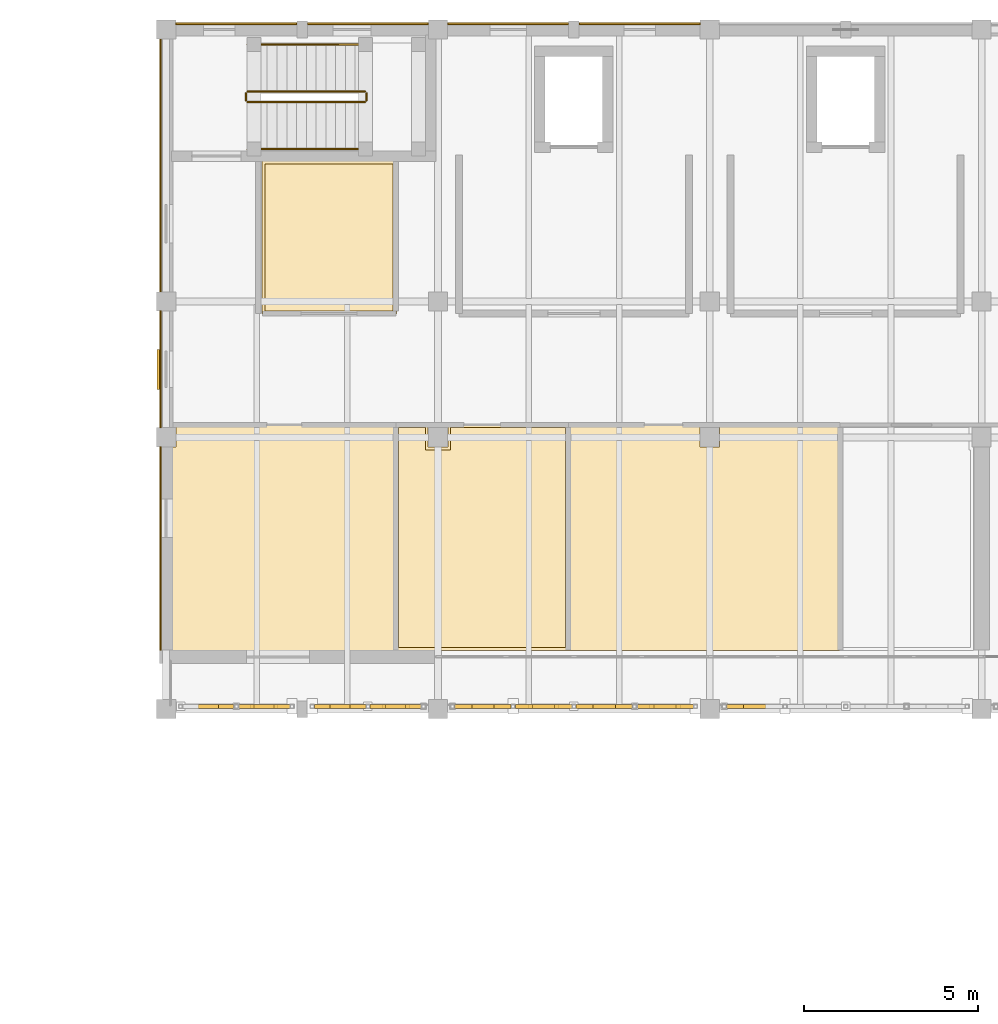
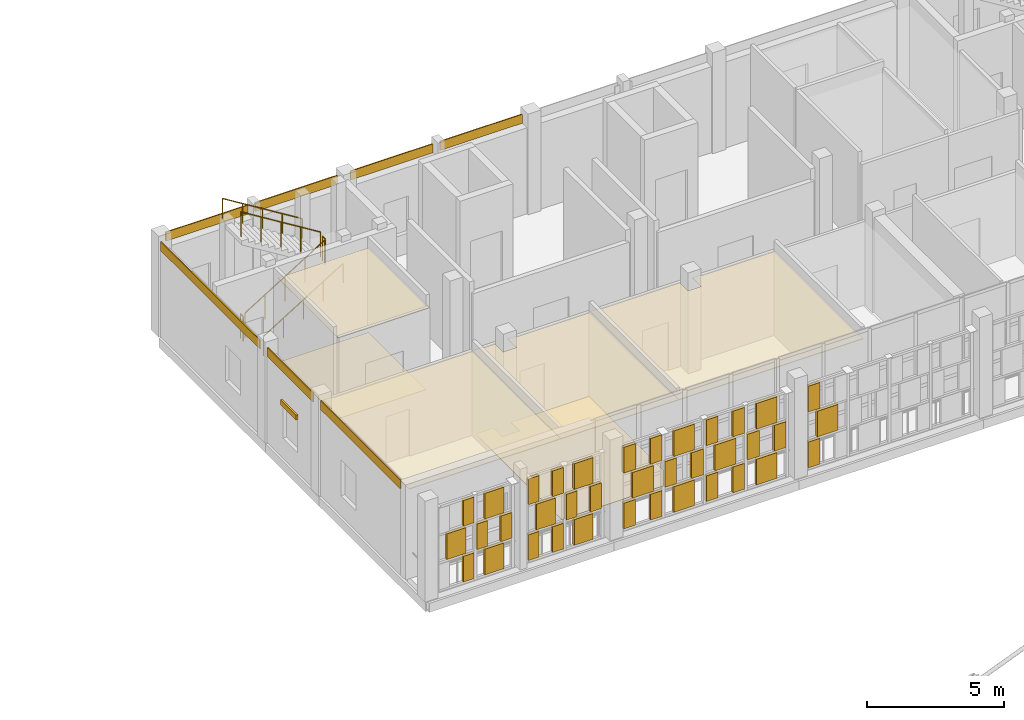
# One storey, part 113 of 119: 50 coverings, 6 railings, 1 shading device.
"""IFC4 building model written with IfcOpenShell, lengths in metres."""

from ifc_helpers import new_model, si_unit, direction, frame, origin, origin_2d, place, context, subcontext, project, spatial, polyline, rectangle, circle, outline, extrude, material, layer, layer_set, type_object, element, save


model = new_model("IFC4")

# Units and contexts
model_context = context("Model", 3, precision=1e-05, world=origin(), true_north=direction((0.0, 1.0)))
body_context = subcontext(model_context, "Body", "Model", "MODEL_VIEW")
ifc_project = project(units=[si_unit("LENGTHUNIT", "METRE"), si_unit("AREAUNIT", "SQUARE_METRE"), si_unit("VOLUMEUNIT", "CUBIC_METRE"), si_unit("PLANEANGLEUNIT", "RADIAN"), si_unit("MASSUNIT", "GRAM", prefix="KILO")], contexts=[model_context])

# Site, building, storey
site_placement = place(None, origin())
site = spatial("IfcSite", under=ifc_project, at=site_placement, CompositionType="ELEMENT")
building_placement = place(site_placement, origin())
building = spatial("IfcBuilding", under=site, at=building_placement, Name="Celorna Specialist Clinic", CompositionType="ELEMENT")
storey_placement = place(building_placement, frame((0.0, 0.0, 9.60009765625)))
storey = spatial("IfcBuildingStorey", under=building, at=storey_placement, Name="L02", CompositionType="ELEMENT", Elevation=9.60009765625)

# Coverings
ifc_material_1 = material(Name="Hygienic acoustic mineral-fibre ceiling")
ifc_layer_1 = layer(ifc_material_1, 0.030029296875, Name="Hygienic acoustic mineral-fibre ceiling")
ifc_layer_set_1 = layer_set([ifc_layer_1], Name="Hygienic acoustic mineral-fibre ceiling")
covering_type_1 = type_object("IfcCoveringType", Name="CE-01", PredefinedType="CEILING", material=ifc_layer_set_1)
covering_1_placement = place(storey_placement, frame((0.0, 0.0, 3.68994140625)))
element("IfcCovering", 1, at=covering_1_placement, inside=storey, type_object=covering_type_1, Name="Acoustic ceiling L02-026", PredefinedType="CEILING", context=body_context, shape_type="SweptSolid", body=[
    extrude(outline(polyline([(53.405029296875, 104.6650390625), (53.405029296875, 98.175048828125), (46.97509765625, 98.175048828125), (46.97509765625, 104.02001953125), (47.080078125, 104.02001953125), (47.080078125, 104.580078125), (47.070068359375, 104.580078125), (47.070068359375, 104.6650390625), (53.405029296875, 104.6650390625)])), origin(), (0.0, 0.0, 1.0), 0.030029296875),
])
covering_2_placement = place(storey_placement, frame((0.0, 0.0, 3.68994140625)))
element("IfcCovering", 2, at=covering_2_placement, inside=storey, type_object=covering_type_1, Name="Acoustic ceiling L02-027", PredefinedType="CEILING", context=body_context, shape_type="SweptSolid", body=[
    extrude(outline(polyline([(54.330078125, 104.6650390625), (54.330078125, 104.580078125), (54.320068359375, 104.580078125), (54.320068359375, 104.02001953125), (54.8798828125, 104.02001953125), (54.8798828125, 104.580078125), (54.8701171875, 104.580078125), (54.8701171875, 104.6650390625), (58.35498046875, 104.6650390625), (58.35498046875, 98.175048828125), (53.375, 98.175048828125), (53.375, 104.6650390625), (54.330078125, 104.6650390625)])), origin(), (0.0, 0.0, 1.0), 0.030029296875),
])
covering_3_placement = place(storey_placement, frame((0.0, 0.0, 3.68994140625)))
element("IfcCovering", 3, at=covering_3_placement, inside=storey, type_object=covering_type_1, Name="Acoustic ceiling L02-028", PredefinedType="CEILING", context=body_context, shape_type="SweptSolid", body=[
    extrude(outline(polyline([(62.1298828125, 104.6650390625), (62.1298828125, 104.580078125), (62.1201171875, 104.580078125), (62.1201171875, 104.02001953125), (62.679931640625, 104.02001953125), (62.679931640625, 104.580078125), (62.669921875, 104.580078125), (62.669921875, 104.6650390625), (66.155029296875, 104.6650390625), (66.155029296875, 98.175048828125), (58.324951171875, 98.175048828125), (58.324951171875, 104.6650390625), (62.1298828125, 104.6650390625)])), origin(), (0.0, 0.0, 1.0), 0.030029296875),
])
covering_4_placement = place(storey_placement, frame((0.0, 0.0, 3.68994140625)))
element("IfcCovering", 4, at=covering_4_placement, inside=storey, type_object=covering_type_1, Name="Acoustic ceiling L02-041", PredefinedType="CEILING", context=body_context, shape_type="SweptSolid", body=[
    extrude(outline(polyline([(49.544921875, 112.235107421875), (53.405029296875, 112.235107421875), (53.405029296875, 107.8349609375), (49.544921875, 107.8349609375), (49.544921875, 112.235107421875)])), origin(), (0.0, 0.0, 1.0), 0.030029296875),
])
ifc_material_2 = material(Name="Pero Pinheiro Lioz limestone rainscreen cladding", Category="masonry")
ifc_layer_2 = layer(ifc_material_2, 0.044921875, Name="Pero Pinheiro Lioz limestone rainscreen cladding")
ifc_layer_set_2 = layer_set([ifc_layer_2], Name="Pero Pinheiro Lioz limestone rainscreen cladding")
covering_type_2 = type_object("IfcCoveringType", Name="CL-01", PredefinedType="CLADDING", material=ifc_layer_set_2)
for number, where, z_axis, x_axis, name in (
    (5, (48.8125, 116.16748046875, 3.83984375), (0.0, 0.0, 1.0), (1.0, 0.0, 0.0), "Lioz spandrel cladding #233"),
    (6, (52.58740234375, 116.16748046875, 3.83984375), (0.0, 0.0, 1.0), (1.0, 0.0, 0.0), "Lioz spandrel cladding #234"),
    (7, (56.612548828125, 116.16748046875, 3.83984375), (0.0, 0.0, 1.0), (1.0, 0.0, 0.0), "Lioz spandrel cladding #235"),
    (8, (60.387451171875, 116.16748046875, 3.83984375), (0.0, 0.0, 1.0), (1.0, 0.0, 0.0), "Lioz spandrel cladding #236"),
):
    element("IfcCovering", number, at=place(storey_placement, frame(where, z_axis=z_axis, x_axis=x_axis)), inside=storey, type_object=covering_type_2, Name=name, PredefinedType="CLADDING", context=body_context, shape_type="SweptSolid", body=[
        extrude(rectangle(XDim=3.47509765625, YDim=0.044921875, at=origin_2d()), origin(), (0.0, 0.0, 1.0), 0.39990234375),
    ])
covering_5_placement = place(storey_placement, frame((46.632568359375, 101.107421875, 3.83984375), z_axis=(0.0, 0.0, 1.0), x_axis=(0.0, 1.0, 0.0)))
element("IfcCovering", 9, at=covering_5_placement, inside=storey, type_object=covering_type_2, Name="Lioz spandrel cladding #248", PredefinedType="CLADDING", context=body_context, shape_type="SweptSolid", body=[
    extrude(rectangle(XDim=5.8349609375, YDim=0.044921875, at=origin_2d()), origin(), (0.0, 0.0, 1.0), 0.39990234375),
])
covering_6_placement = place(storey_placement, frame((46.632568359375, 106.25, 3.83984375), z_axis=(0.0, 0.0, 1.0), x_axis=(0.0, 1.0, 0.0)))
element("IfcCovering", 10, at=covering_6_placement, inside=storey, type_object=covering_type_2, Name="Lioz spandrel cladding #249", PredefinedType="CLADDING", context=body_context, shape_type="SweptSolid", body=[
    extrude(rectangle(XDim=3.35009765625, YDim=0.044921875, at=origin_2d()), origin(), (0.0, 0.0, 1.0), 0.39990234375),
])
covering_7_placement = place(storey_placement, frame((46.632568359375, 112.10009765625, 3.83984375), z_axis=(0.0, 0.0, 1.0), x_axis=(0.0, 1.0, 0.0)))
element("IfcCovering", 11, at=covering_7_placement, inside=storey, type_object=covering_type_2, Name="Lioz spandrel cladding #250", PredefinedType="CLADDING", context=body_context, shape_type="SweptSolid", body=[
    extrude(rectangle(XDim=7.25, YDim=0.044921875, at=origin_2d()), origin(), (0.0, 0.0, 1.0), 0.39990234375),
])
ifc_material_3 = material(Name="Perforated terracotta brick weave cladding", Category="masonry")
ifc_layer_3 = layer(ifc_material_3, 0.114990234375, Name="Perforated terracotta brick weave cladding")
ifc_layer_set_3 = layer_set([ifc_layer_3], Name="Perforated terracotta brick weave cladding")
covering_type_3 = type_object("IfcCoveringType", Name="CL-02", PredefinedType="CLADDING", material=ifc_layer_set_3)
covering_8_placement = place(storey_placement, frame((48.527099609375, 96.570068359375, 0.10009765625), z_axis=(0.0, 0.0, 1.0), x_axis=(1.0, 0.0, 0.0)))
element("IfcCovering", 12, at=covering_8_placement, inside=storey, type_object=covering_type_3, Name="Woven perforated terracotta brick course #861", PredefinedType="CLADDING", context=body_context, shape_type="SweptSolid", body=[
    extrude(rectangle(XDim=0.45068359375, YDim=0.114990234375, at=origin_2d()), origin(), (0.0, 0.0, 1.0), 1.146728515625),
])
covering_9_placement = place(storey_placement, frame((48.013916015625, 96.570068359375, 1.3466796875), z_axis=(0.0, 0.0, 1.0), x_axis=(1.0, 0.0, 0.0)))
element("IfcCovering", 13, at=covering_9_placement, inside=storey, type_object=covering_type_3, Name="Woven perforated terracotta brick course #862", PredefinedType="CLADDING", context=body_context, shape_type="SweptSolid", body=[
    extrude(rectangle(XDim=0.7978515625, YDim=0.114990234375, at=origin_2d()), origin(), (0.0, 0.0, 1.0), 1.146484375),
])
covering_10_placement = place(storey_placement, frame((48.527099609375, 96.570068359375, 2.59326171875), z_axis=(0.0, 0.0, 1.0), x_axis=(1.0, 0.0, 0.0)))
element("IfcCovering", 14, at=covering_10_placement, inside=storey, type_object=covering_type_3, Name="Woven perforated terracotta brick course #864", PredefinedType="CLADDING", context=body_context, shape_type="SweptSolid", body=[
    extrude(rectangle(XDim=0.45068359375, YDim=0.114990234375, at=origin_2d()), origin(), (0.0, 0.0, 1.0), 1.146728515625),
])
covering_11_placement = place(storey_placement, frame((49.611083984375, 96.570068359375, 0.10009765625), z_axis=(0.0, 0.0, 1.0), x_axis=(1.0, 0.0, 0.0)))
element("IfcCovering", 15, at=covering_11_placement, inside=storey, type_object=covering_type_3, Name="Woven perforated terracotta brick course #865", PredefinedType="CLADDING", context=body_context, shape_type="SweptSolid", body=[
    extrude(rectangle(XDim=0.7978515625, YDim=0.114990234375, at=origin_2d()), origin(), (0.0, 0.0, 1.0), 1.146728515625),
])
for number, where, z_axis, x_axis, name in (
    (16, (49.097900390625, 96.570068359375, 1.3466796875), (0.0, 0.0, 1.0), (1.0, 0.0, 0.0), "Woven perforated terracotta brick course #866"),
    (17, (50.124755859375, 96.570068359375, 1.3466796875), (0.0, 0.0, 1.0), (1.0, 0.0, 0.0), "Woven perforated terracotta brick course #867"),
):
    element("IfcCovering", number, at=place(storey_placement, frame(where, z_axis=z_axis, x_axis=x_axis)), inside=storey, type_object=covering_type_3, Name=name, PredefinedType="CLADDING", context=body_context, shape_type="SweptSolid", body=[
        extrude(rectangle(XDim=0.45068359375, YDim=0.114990234375, at=origin_2d()), origin(), (0.0, 0.0, 1.0), 1.146484375),
    ])
covering_12_placement = place(storey_placement, frame((49.611083984375, 96.570068359375, 2.59326171875), z_axis=(0.0, 0.0, 1.0), x_axis=(1.0, 0.0, 0.0)))
element("IfcCovering", 18, at=covering_12_placement, inside=storey, type_object=covering_type_3, Name="Woven perforated terracotta brick course #868", PredefinedType="CLADDING", context=body_context, shape_type="SweptSolid", body=[
    extrude(rectangle(XDim=0.7978515625, YDim=0.114990234375, at=origin_2d()), origin(), (0.0, 0.0, 1.0), 1.146728515625),
])
for number, where, z_axis, x_axis, name in (
    (19, (51.275390625, 96.570068359375, 0.10009765625), (0.0, 0.0, 1.0), (1.0, 0.0, 0.0), "Woven perforated terracotta brick course #869"),
    (20, (52.30224609375, 96.570068359375, 0.10009765625), (0.0, 0.0, 1.0), (1.0, 0.0, 0.0), "Woven perforated terracotta brick course #870"),
):
    element("IfcCovering", number, at=place(storey_placement, frame(where, z_axis=z_axis, x_axis=x_axis)), inside=storey, type_object=covering_type_3, Name=name, PredefinedType="CLADDING", context=body_context, shape_type="SweptSolid", body=[
        extrude(rectangle(XDim=0.45068359375, YDim=0.114990234375, at=origin_2d()), origin(), (0.0, 0.0, 1.0), 1.146728515625),
    ])
covering_13_placement = place(storey_placement, frame((51.788818359375, 96.570068359375, 1.3466796875), z_axis=(0.0, 0.0, 1.0), x_axis=(1.0, 0.0, 0.0)))
element("IfcCovering", 21, at=covering_13_placement, inside=storey, type_object=covering_type_3, Name="Woven perforated terracotta brick course #871", PredefinedType="CLADDING", context=body_context, shape_type="SweptSolid", body=[
    extrude(rectangle(XDim=0.7978515625, YDim=0.114990234375, at=origin_2d()), origin(), (0.0, 0.0, 1.0), 1.146484375),
])
for number, where, z_axis, x_axis, name in (
    (22, (51.275390625, 96.570068359375, 2.59326171875), (0.0, 0.0, 1.0), (1.0, 0.0, 0.0), "Woven perforated terracotta brick course #872"),
    (23, (52.30224609375, 96.570068359375, 2.59326171875), (0.0, 0.0, 1.0), (1.0, 0.0, 0.0), "Woven perforated terracotta brick course #873"),
):
    element("IfcCovering", number, at=place(storey_placement, frame(where, z_axis=z_axis, x_axis=x_axis)), inside=storey, type_object=covering_type_3, Name=name, PredefinedType="CLADDING", context=body_context, shape_type="SweptSolid", body=[
        extrude(rectangle(XDim=0.45068359375, YDim=0.114990234375, at=origin_2d()), origin(), (0.0, 0.0, 1.0), 1.146728515625),
    ])
covering_14_placement = place(storey_placement, frame((53.38623046875, 96.570068359375, 0.10009765625), z_axis=(0.0, 0.0, 1.0), x_axis=(1.0, 0.0, 0.0)))
element("IfcCovering", 24, at=covering_14_placement, inside=storey, type_object=covering_type_3, Name="Woven perforated terracotta brick course #874", PredefinedType="CLADDING", context=body_context, shape_type="SweptSolid", body=[
    extrude(rectangle(XDim=0.7978515625, YDim=0.114990234375, at=origin_2d()), origin(), (0.0, 0.0, 1.0), 1.146728515625),
])
for number, where, z_axis, x_axis, name in (
    (25, (52.872802734375, 96.570068359375, 1.3466796875), (0.0, 0.0, 1.0), (1.0, 0.0, 0.0), "Woven perforated terracotta brick course #875"),
    (26, (53.899658203125, 96.570068359375, 1.3466796875), (0.0, 0.0, 1.0), (1.0, 0.0, 0.0), "Woven perforated terracotta brick course #876"),
):
    element("IfcCovering", number, at=place(storey_placement, frame(where, z_axis=z_axis, x_axis=x_axis)), inside=storey, type_object=covering_type_3, Name=name, PredefinedType="CLADDING", context=body_context, shape_type="SweptSolid", body=[
        extrude(rectangle(XDim=0.45068359375, YDim=0.114990234375, at=origin_2d()), origin(), (0.0, 0.0, 1.0), 1.146484375),
    ])
covering_15_placement = place(storey_placement, frame((53.38623046875, 96.570068359375, 2.59326171875), z_axis=(0.0, 0.0, 1.0), x_axis=(1.0, 0.0, 0.0)))
element("IfcCovering", 27, at=covering_15_placement, inside=storey, type_object=covering_type_3, Name="Woven perforated terracotta brick course #877", PredefinedType="CLADDING", context=body_context, shape_type="SweptSolid", body=[
    extrude(rectangle(XDim=0.7978515625, YDim=0.114990234375, at=origin_2d()), origin(), (0.0, 0.0, 1.0), 1.146728515625),
])
for number, where, z_axis, x_axis, name in (
    (28, (55.322509765625, 96.570068359375, 0.10009765625), (0.0, 0.0, 1.0), (1.0, 0.0, 0.0), "Woven perforated terracotta brick course #878"),
    (29, (56.449951171875, 96.570068359375, 0.10009765625), (0.0, 0.0, 1.0), (1.0, 0.0, 0.0), "Woven perforated terracotta brick course #879"),
):
    element("IfcCovering", number, at=place(storey_placement, frame(where, z_axis=z_axis, x_axis=x_axis)), inside=storey, type_object=covering_type_3, Name=name, PredefinedType="CLADDING", context=body_context, shape_type="SweptSolid", body=[
        extrude(rectangle(XDim=0.494873046875, YDim=0.114990234375, at=origin_2d()), origin(), (0.0, 0.0, 1.0), 1.146728515625),
    ])
covering_16_placement = place(storey_placement, frame((55.88623046875, 96.570068359375, 1.3466796875), z_axis=(0.0, 0.0, 1.0), x_axis=(1.0, 0.0, 0.0)))
element("IfcCovering", 30, at=covering_16_placement, inside=storey, type_object=covering_type_3, Name="Woven perforated terracotta brick course #880", PredefinedType="CLADDING", context=body_context, shape_type="SweptSolid", body=[
    extrude(rectangle(XDim=0.876220703125, YDim=0.114990234375, at=origin_2d()), origin(), (0.0, 0.0, 1.0), 1.146484375),
])
for number, where, z_axis, x_axis, name in (
    (31, (55.322509765625, 96.570068359375, 2.59326171875), (0.0, 0.0, 1.0), (1.0, 0.0, 0.0), "Woven perforated terracotta brick course #881"),
    (32, (56.449951171875, 96.570068359375, 2.59326171875), (0.0, 0.0, 1.0), (1.0, 0.0, 0.0), "Woven perforated terracotta brick course #882"),
):
    element("IfcCovering", number, at=place(storey_placement, frame(where, z_axis=z_axis, x_axis=x_axis)), inside=storey, type_object=covering_type_3, Name=name, PredefinedType="CLADDING", context=body_context, shape_type="SweptSolid", body=[
        extrude(rectangle(XDim=0.494873046875, YDim=0.114990234375, at=origin_2d()), origin(), (0.0, 0.0, 1.0), 1.146728515625),
    ])
covering_17_placement = place(storey_placement, frame((57.628662109375, 96.570068359375, 0.10009765625), z_axis=(0.0, 0.0, 1.0), x_axis=(1.0, 0.0, 0.0)))
element("IfcCovering", 33, at=covering_17_placement, inside=storey, type_object=covering_type_3, Name="Woven perforated terracotta brick course #883", PredefinedType="CLADDING", context=body_context, shape_type="SweptSolid", body=[
    extrude(rectangle(XDim=0.876220703125, YDim=0.114990234375, at=origin_2d()), origin(), (0.0, 0.0, 1.0), 1.146728515625),
])
for number, where, z_axis, x_axis, name in (
    (34, (57.06494140625, 96.570068359375, 1.3466796875), (0.0, 0.0, 1.0), (1.0, 0.0, 0.0), "Woven perforated terracotta brick course #884"),
    (35, (58.1923828125, 96.570068359375, 1.3466796875), (0.0, 0.0, 1.0), (1.0, 0.0, 0.0), "Woven perforated terracotta brick course #885"),
):
    element("IfcCovering", number, at=place(storey_placement, frame(where, z_axis=z_axis, x_axis=x_axis)), inside=storey, type_object=covering_type_3, Name=name, PredefinedType="CLADDING", context=body_context, shape_type="SweptSolid", body=[
        extrude(rectangle(XDim=0.494873046875, YDim=0.114990234375, at=origin_2d()), origin(), (0.0, 0.0, 1.0), 1.146484375),
    ])
covering_18_placement = place(storey_placement, frame((57.628662109375, 96.570068359375, 2.59326171875), z_axis=(0.0, 0.0, 1.0), x_axis=(1.0, 0.0, 0.0)))
element("IfcCovering", 36, at=covering_18_placement, inside=storey, type_object=covering_type_3, Name="Woven perforated terracotta brick course #886", PredefinedType="CLADDING", context=body_context, shape_type="SweptSolid", body=[
    extrude(rectangle(XDim=0.876220703125, YDim=0.114990234375, at=origin_2d()), origin(), (0.0, 0.0, 1.0), 1.146728515625),
])
for number, where, z_axis, x_axis, name in (
    (37, (58.8076171875, 96.570068359375, 0.10009765625), (0.0, 0.0, 1.0), (1.0, 0.0, 0.0), "Woven perforated terracotta brick course #887"),
    (38, (59.93505859375, 96.570068359375, 0.10009765625), (0.0, 0.0, 1.0), (1.0, 0.0, 0.0), "Woven perforated terracotta brick course #888"),
):
    element("IfcCovering", number, at=place(storey_placement, frame(where, z_axis=z_axis, x_axis=x_axis)), inside=storey, type_object=covering_type_3, Name=name, PredefinedType="CLADDING", context=body_context, shape_type="SweptSolid", body=[
        extrude(rectangle(XDim=0.494873046875, YDim=0.114990234375, at=origin_2d()), origin(), (0.0, 0.0, 1.0), 1.146728515625),
    ])
covering_19_placement = place(storey_placement, frame((59.371337890625, 96.570068359375, 1.3466796875), z_axis=(0.0, 0.0, 1.0), x_axis=(1.0, 0.0, 0.0)))
element("IfcCovering", 39, at=covering_19_placement, inside=storey, type_object=covering_type_3, Name="Woven perforated terracotta brick course #889", PredefinedType="CLADDING", context=body_context, shape_type="SweptSolid", body=[
    extrude(rectangle(XDim=0.876220703125, YDim=0.114990234375, at=origin_2d()), origin(), (0.0, 0.0, 1.0), 1.146484375),
])
for number, where, z_axis, x_axis, name in (
    (40, (58.8076171875, 96.570068359375, 2.59326171875), (0.0, 0.0, 1.0), (1.0, 0.0, 0.0), "Woven perforated terracotta brick course #890"),
    (41, (59.93505859375, 96.570068359375, 2.59326171875), (0.0, 0.0, 1.0), (1.0, 0.0, 0.0), "Woven perforated terracotta brick course #891"),
):
    element("IfcCovering", number, at=place(storey_placement, frame(where, z_axis=z_axis, x_axis=x_axis)), inside=storey, type_object=covering_type_3, Name=name, PredefinedType="CLADDING", context=body_context, shape_type="SweptSolid", body=[
        extrude(rectangle(XDim=0.494873046875, YDim=0.114990234375, at=origin_2d()), origin(), (0.0, 0.0, 1.0), 1.146728515625),
    ])
covering_20_placement = place(storey_placement, frame((61.11376953125, 96.570068359375, 0.10009765625), z_axis=(0.0, 0.0, 1.0), x_axis=(1.0, 0.0, 0.0)))
element("IfcCovering", 42, at=covering_20_placement, inside=storey, type_object=covering_type_3, Name="Woven perforated terracotta brick course #892", PredefinedType="CLADDING", context=body_context, shape_type="SweptSolid", body=[
    extrude(rectangle(XDim=0.876220703125, YDim=0.114990234375, at=origin_2d()), origin(), (0.0, 0.0, 1.0), 1.146728515625),
])
for number, where, z_axis, x_axis, name in (
    (43, (60.550048828125, 96.570068359375, 1.3466796875), (0.0, 0.0, 1.0), (1.0, 0.0, 0.0), "Woven perforated terracotta brick course #893"),
    (44, (61.677490234375, 96.570068359375, 1.3466796875), (0.0, 0.0, 1.0), (1.0, 0.0, 0.0), "Woven perforated terracotta brick course #894"),
):
    element("IfcCovering", number, at=place(storey_placement, frame(where, z_axis=z_axis, x_axis=x_axis)), inside=storey, type_object=covering_type_3, Name=name, PredefinedType="CLADDING", context=body_context, shape_type="SweptSolid", body=[
        extrude(rectangle(XDim=0.494873046875, YDim=0.114990234375, at=origin_2d()), origin(), (0.0, 0.0, 1.0), 1.146484375),
    ])
covering_21_placement = place(storey_placement, frame((61.11376953125, 96.570068359375, 2.59326171875), z_axis=(0.0, 0.0, 1.0), x_axis=(1.0, 0.0, 0.0)))
element("IfcCovering", 45, at=covering_21_placement, inside=storey, type_object=covering_type_3, Name="Woven perforated terracotta brick course #895", PredefinedType="CLADDING", context=body_context, shape_type="SweptSolid", body=[
    extrude(rectangle(XDim=0.876220703125, YDim=0.114990234375, at=origin_2d()), origin(), (0.0, 0.0, 1.0), 1.146728515625),
])
covering_22_placement = place(storey_placement, frame((63.12255859375, 96.570068359375, 0.10009765625), z_axis=(0.0, 0.0, 1.0), x_axis=(1.0, 0.0, 0.0)))
element("IfcCovering", 46, at=covering_22_placement, inside=storey, type_object=covering_type_3, Name="Woven perforated terracotta brick course #896", PredefinedType="CLADDING", context=body_context, shape_type="SweptSolid", body=[
    extrude(rectangle(XDim=0.494873046875, YDim=0.114990234375, at=origin_2d()), origin(), (0.0, 0.0, 1.0), 1.146728515625),
])
covering_23_placement = place(storey_placement, frame((63.686279296875, 96.570068359375, 1.3466796875), z_axis=(0.0, 0.0, 1.0), x_axis=(1.0, 0.0, 0.0)))
element("IfcCovering", 47, at=covering_23_placement, inside=storey, type_object=covering_type_3, Name="Woven perforated terracotta brick course #898", PredefinedType="CLADDING", context=body_context, shape_type="SweptSolid", body=[
    extrude(rectangle(XDim=0.876220703125, YDim=0.114990234375, at=origin_2d()), origin(), (0.0, 0.0, 1.0), 1.146484375),
])
covering_24_placement = place(storey_placement, frame((63.12255859375, 96.570068359375, 2.59326171875), z_axis=(0.0, 0.0, 1.0), x_axis=(1.0, 0.0, 0.0)))
element("IfcCovering", 48, at=covering_24_placement, inside=storey, type_object=covering_type_3, Name="Woven perforated terracotta brick course #899", PredefinedType="CLADDING", context=body_context, shape_type="SweptSolid", body=[
    extrude(rectangle(XDim=0.494873046875, YDim=0.114990234375, at=origin_2d()), origin(), (0.0, 0.0, 1.0), 1.146728515625),
])
ifc_material_4 = material(Name="Seamless antimicrobial clinical vinyl and Lioz terrazzo flooring")
ifc_layer_4 = layer(ifc_material_4, 0.02001953125, Name="Seamless antimicrobial clinical vinyl and Lioz terrazzo flooring")
ifc_layer_set_4 = layer_set([ifc_layer_4], Name="Seamless antimicrobial clinical vinyl and Lioz terrazzo flooring")
covering_type_4 = type_object("IfcCoveringType", Name="FL-01", PredefinedType="FLOORING", material=ifc_layer_set_4)
covering_25_placement = place(storey_placement, origin())
element("IfcCovering", 49, at=covering_25_placement, inside=storey, type_object=covering_type_4, Name="Antimicrobial clinical flooring L02-027", PredefinedType="FLOORING", context=body_context, shape_type="SweptSolid", body=[
    extrude(outline(polyline([(53.465087890625, 104.574951171875), (54.239990234375, 104.574951171875), (54.239990234375, 103.93994140625), (54.9599609375, 103.93994140625), (54.9599609375, 104.574951171875), (58.264892578125, 104.574951171875), (58.264892578125, 98.264892578125), (53.465087890625, 98.264892578125), (53.465087890625, 104.574951171875)])), origin(), (0.0, 0.0, 1.0), 0.02001953125),
])
covering_26_placement = place(storey_placement, origin())
element("IfcCovering", 50, at=covering_26_placement, inside=storey, type_object=covering_type_4, Name="Antimicrobial clinical flooring L02-041", PredefinedType="FLOORING", context=body_context, shape_type="SweptSolid", body=[
    extrude(outline(polyline([(49.635009765625, 107.925048828125), (49.635009765625, 112.14501953125), (53.31494140625, 112.14501953125), (53.31494140625, 107.925048828125), (49.635009765625, 107.925048828125)])), origin(), (0.0, 0.0, 1.0), 0.02001953125),
])

# Railings
ifc_material_5 = material(Name="Powder-coated steel S355", Category="steel")
railing_type_1 = type_object("IfcRailingType", Name="GR-01", PredefinedType="GUARDRAIL", material=ifc_material_5)
railing_1_placement = place(storey_placement, frame((49.139892578125, 113.919921875, 0.173095703125)))
element("IfcRailing", 51, at=railing_1_placement, inside=storey, type_object=railing_type_1, Name="L02 ST-01 stair guard 1", PredefinedType="GUARDRAIL", context=body_context, shape_type="SweptSolid", body=[
    extrude(circle(Radius=0.02392578125, at=origin_2d()), frame((0.0, 0.0, 1.09619140625), z_axis=(0.850623216509, 0.0, 0.525775754039), x_axis=(0.0, 1.0, 0.0)), (0.0, 0.0, 1.0), 3.9501953125),
    extrude(circle(Radius=0.02099609375, at=origin_2d()), origin(), (0.0, 0.0, 1.0), 1.072021484375),
    extrude(circle(Radius=0.02099609375, at=origin_2d()), frame((0.840087890625, 0.0, 0.519287109375)), (0.0, 0.0, 1.0), 1.072021484375),
    extrude(circle(Radius=0.02099609375, at=origin_2d()), frame((1.68017578125, 0.0, 1.03857421875)), (0.0, 0.0, 1.0), 1.072021484375),
    extrude(circle(Radius=0.02099609375, at=origin_2d()), frame((2.52001953125, 0.0, 1.5576171875)), (0.0, 0.0, 1.0), 1.072021484375),
    extrude(circle(Radius=0.02099609375, at=origin_2d()), frame((3.360107421875, 0.0, 2.076904296875)), (0.0, 0.0, 1.0), 1.072021484375),
])
railing_2_placement = place(storey_placement, frame((52.550048828125, 113.969970703125, 2.25)))
element("IfcRailing", 52, at=railing_2_placement, inside=storey, type_object=railing_type_1, Name="L02 ST-01 stair guard 2", PredefinedType="GUARDRAIL", context=body_context, shape_type="SweptSolid", body=[
    extrude(circle(Radius=0.02392578125, at=origin_2d()), frame((0.0, 0.0, 1.09619140625), z_axis=(0.0, 1.0, 0.0), x_axis=(-1.0, 0.0, 0.0)), (0.0, 0.0, 1.0), 0.199951171875),
    extrude(circle(Radius=0.02099609375, at=origin_2d()), origin(), (0.0, 0.0, 1.0), 1.072021484375),
    extrude(circle(Radius=0.02099609375, at=origin_2d()), frame((0.0, 0.199951171875, 0.0)), (0.0, 0.0, 1.0), 1.072021484375),
])
railing_3_placement = place(storey_placement, frame((52.5, 114.219970703125, 2.423095703125)))
element("IfcRailing", 53, at=railing_3_placement, inside=storey, type_object=railing_type_1, Name="L02 ST-01 stair guard 3", PredefinedType="GUARDRAIL", context=body_context, shape_type="SweptSolid", body=[
    extrude(circle(Radius=0.02392578125, at=origin_2d()), frame((0.0, 0.0, 1.09619140625), z_axis=(-0.850623216509, 0.0, 0.525775754039), x_axis=(0.0, -1.0, 0.0)), (0.0, 0.0, 1.0), 3.9501953125),
    extrude(circle(Radius=0.02099609375, at=origin_2d()), origin(), (0.0, 0.0, 1.0), 1.072021484375),
    extrude(circle(Radius=0.02099609375, at=origin_2d()), frame((-0.840087890625, 0.0, 0.519287109375)), (0.0, 0.0, 1.0), 1.072021484375),
    extrude(circle(Radius=0.02099609375, at=origin_2d()), frame((-1.68017578125, 0.0, 1.03857421875)), (0.0, 0.0, 1.0), 1.072021484375),
    extrude(circle(Radius=0.02099609375, at=origin_2d()), frame((-2.52001953125, 0.0, 1.5576171875)), (0.0, 0.0, 1.0), 1.072021484375),
    extrude(circle(Radius=0.02099609375, at=origin_2d()), frame((-3.360107421875, 0.0, 2.076904296875)), (0.0, 0.0, 1.0), 1.072021484375),
])
railing_4_placement = place(storey_placement, frame((49.090087890625, 113.969970703125, 0.0)))
element("IfcRailing", 54, at=railing_4_placement, inside=storey, type_object=railing_type_1, Name="L02 ST-01 stair guard 4", PredefinedType="GUARDRAIL", context=body_context, shape_type="SweptSolid", body=[
    extrude(circle(Radius=0.02392578125, at=origin_2d()), frame((0.0, 0.0, 1.09619140625), z_axis=(0.0, 1.0, 0.0), x_axis=(-1.0, 0.0, 0.0)), (0.0, 0.0, 1.0), 0.199951171875),
    extrude(circle(Radius=0.02099609375, at=origin_2d()), origin(), (0.0, 0.0, 1.0), 1.072021484375),
    extrude(circle(Radius=0.02099609375, at=origin_2d()), frame((0.0, 0.199951171875, 0.0)), (0.0, 0.0, 1.0), 1.072021484375),
])
ifc_material_6 = material(Name="Brushed stainless steel handrail", Category="steel")
railing_type_2 = type_object("IfcRailingType", Name="HR-01", PredefinedType="HANDRAIL", material=ifc_material_6)
railing_5_placement = place(storey_placement, frame((49.139892578125, 112.570068359375, 0.173095703125)))
element("IfcRailing", 55, at=railing_5_placement, inside=storey, type_object=railing_type_2, Name="L02 ST-01 stair handrail 1", PredefinedType="HANDRAIL", context=body_context, shape_type="SweptSolid", body=[
    extrude(circle(Radius=0.02392578125, at=origin_2d()), frame((0.0, 0.0, 0.8759765625), z_axis=(0.850623216509, 0.0, 0.525775754039), x_axis=(0.0, 1.0, 0.0)), (0.0, 0.0, 1.0), 3.9501953125),
    extrude(circle(Radius=0.02099609375, at=origin_2d()), origin(), (0.0, 0.0, 1.0), 0.851806640625),
    extrude(circle(Radius=0.02099609375, at=origin_2d()), frame((0.840087890625, 0.0, 0.519287109375)), (0.0, 0.0, 1.0), 0.851806640625),
    extrude(circle(Radius=0.02099609375, at=origin_2d()), frame((1.68017578125, 0.0, 1.03857421875)), (0.0, 0.0, 1.0), 0.851806640625),
    extrude(circle(Radius=0.02099609375, at=origin_2d()), frame((2.52001953125, 0.0, 1.5576171875)), (0.0, 0.0, 1.0), 0.851806640625),
    extrude(circle(Radius=0.02099609375, at=origin_2d()), frame((3.360107421875, 0.0, 2.076904296875)), (0.0, 0.0, 1.0), 0.851806640625),
])
railing_6_placement = place(storey_placement, frame((52.5, 115.570068359375, 2.423095703125)))
element("IfcRailing", 56, at=railing_6_placement, inside=storey, type_object=railing_type_2, Name="L02 ST-01 stair handrail 2", PredefinedType="HANDRAIL", context=body_context, shape_type="SweptSolid", body=[
    extrude(circle(Radius=0.02392578125, at=origin_2d()), frame((0.0, 0.0, 0.8759765625), z_axis=(-0.850623216509, 0.0, 0.525775754039), x_axis=(0.0, -1.0, 0.0)), (0.0, 0.0, 1.0), 3.9501953125),
    extrude(circle(Radius=0.02099609375, at=origin_2d()), origin(), (0.0, 0.0, 1.0), 0.851806640625),
    extrude(circle(Radius=0.02099609375, at=origin_2d()), frame((-0.840087890625, 0.0, 0.519287109375)), (0.0, 0.0, 1.0), 0.851806640625),
    extrude(circle(Radius=0.02099609375, at=origin_2d()), frame((-1.68017578125, 0.0, 1.03857421875)), (0.0, 0.0, 1.0), 0.851806640625),
    extrude(circle(Radius=0.02099609375, at=origin_2d()), frame((-2.52001953125, 0.0, 1.5576171875)), (0.0, 0.0, 1.0), 0.851806640625),
    extrude(circle(Radius=0.02099609375, at=origin_2d()), frame((-3.360107421875, 0.0, 2.076904296875)), (0.0, 0.0, 1.0), 0.851806640625),
])

# Shading device
ifc_material_7 = material(Name="Anodized aluminium solar louvre", Category="aluminium")
ifc_layer_5 = layer(ifc_material_7, 0.080078125, Name="Anodized aluminium solar louvre")
ifc_layer_set_5 = layer_set([ifc_layer_5], Name="Anodized aluminium solar louvre")
shading_device_type = type_object("IfcShadingDeviceType", Name="LV-01", PredefinedType="JALOUSIE", material=ifc_layer_set_5)
shading_device_placement = place(storey_placement, frame((46.570068359375, 106.25, 2.39013671875), z_axis=(0.0, 0.0, 1.0), x_axis=(0.0, 1.0, 0.0)))
element("IfcShadingDevice", 57, at=shading_device_placement, inside=storey, type_object=shading_device_type, Name="External solar louvre LV-01 #128", PredefinedType="JALOUSIE", context=body_context, shape_type="SweptSolid", body=[
    extrude(rectangle(XDim=1.14990234375, YDim=0.080078125, at=origin_2d()), origin(), (0.0, 0.0, 1.0), 0.219970703125),
])

save(model, "model.ifc")
